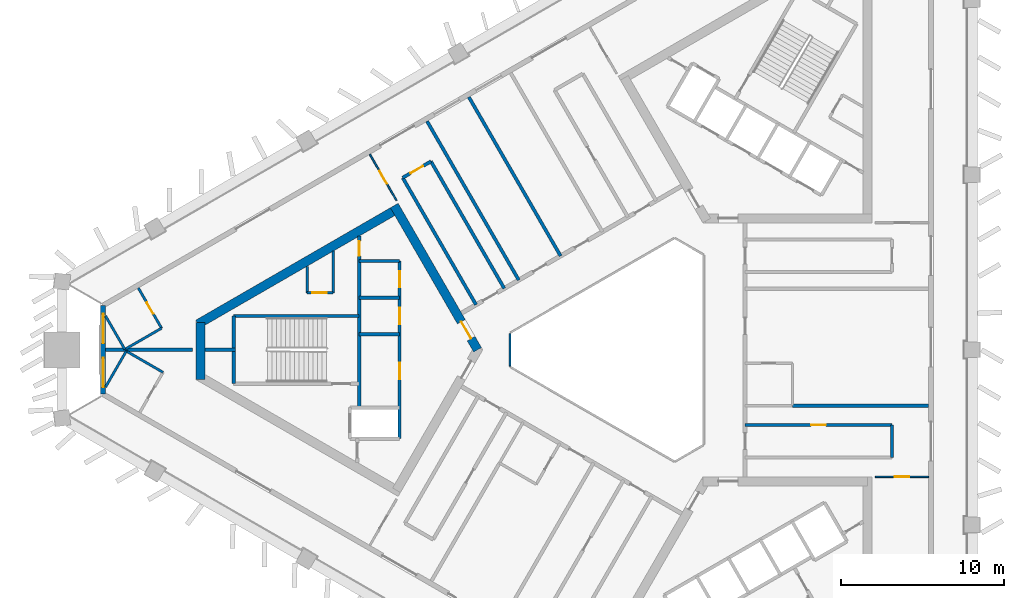
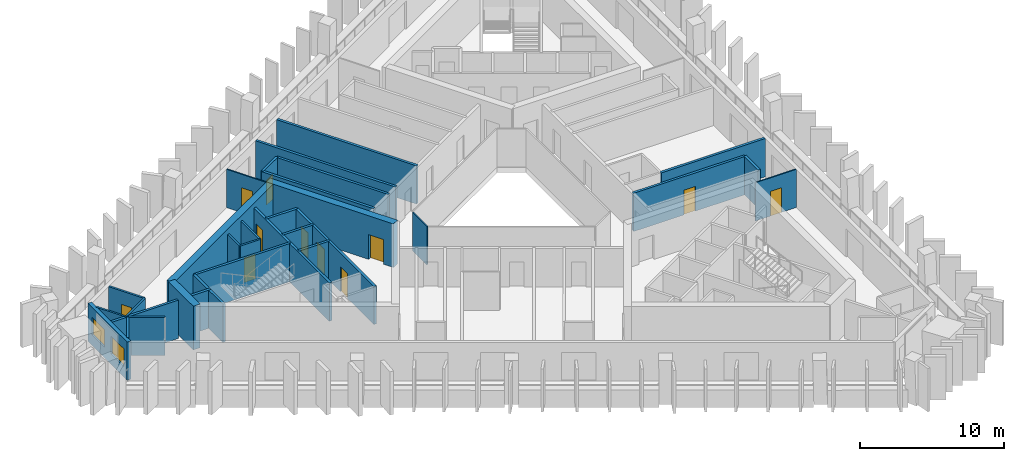
# One storey, part 4 of 10: 32 walls, 11 doors, 2 windows, 13 openings.
"""IFC4 building model written with IfcOpenShell, lengths in metres."""

from ifc_helpers import new_model, si_unit, direction, frame, frame_2d, origin, place, context, subcontext, project, spatial, rectangle, extrude, material, layer, layer_set, type_object, element, fill, save


model = new_model("IFC4")

# Units and contexts
model_context = context("Model", 3, precision=1e-05, world=origin(), true_north=direction((0.0, 1.0)))
body_context = subcontext(model_context, "Body", "Model", "MODEL_VIEW")
ifc_project = project(units=[si_unit("LENGTHUNIT", "METRE"), si_unit("AREAUNIT", "SQUARE_METRE"), si_unit("VOLUMEUNIT", "CUBIC_METRE"), si_unit("PLANEANGLEUNIT", "RADIAN"), si_unit("MASSUNIT", "GRAM", prefix="KILO")], contexts=[model_context])

# Site, building, storey
site_placement = place(None, origin())
site = spatial("IfcSite", under=ifc_project, at=site_placement, CompositionType="ELEMENT")
building_placement = place(site_placement, origin())
building = spatial("IfcBuilding", under=site, at=building_placement, Name="Jabali Bay Hotel Tower and Convention Centre", CompositionType="ELEMENT")
storey_placement = place(building_placement, frame((0.0, 0.0, 178.5)))
storey = spatial("IfcBuildingStorey", under=building, at=storey_placement, Name="L43", CompositionType="ELEMENT", Elevation=178.5)

# Walls
ifc_material_1 = material(Name="Fire-resistant glazing", Category="glass")
ifc_layer_1 = layer(ifc_material_1, 0.10009765625)
ifc_layer_set_1 = layer_set([ifc_layer_1], Name="Fire-resistant glazing")
wall_type_1 = type_object("IfcWallType", Name="Atrium glazed screen 100", PredefinedType="PARTITIONING", material=ifc_layer_set_1)
wall_1_placement = place(storey_placement, frame((67.672119140625, 81.0, 0.0), z_axis=(0.0, 0.0, 1.0), x_axis=(0.0, -1.0, 0.0)))
element("IfcWall", 1, at=wall_1_placement, inside=storey, type_object=wall_type_1, Name="Atrium screen 4 L43", PredefinedType="PARTITIONING", context=body_context, shape_type="SweptSolid", body=[
    extrude(rectangle(XDim=2.0, YDim=0.10009765625, at=frame_2d((1.0, 0.0))), origin(), (0.0, 0.0, 1.0), 3.25),
])
ifc_material_2 = material(Name="Concrete C40", Category="concrete")
ifc_layer_2 = layer(ifc_material_2, 0.199951171875)
ifc_layer_set_2 = layer_set([ifc_layer_2], Name="Concrete C40")
wall_type_2 = type_object("IfcWallType", Name="Core partition wall 200", PredefinedType="PARTITIONING", material=ifc_layer_set_2)
wall_2_placement = place(storey_placement, frame((50.820068359375, 80.0, 0.0), z_axis=(0.0, 0.0, 1.0), x_axis=(-1.0, 0.0, 0.0)))
element("IfcWall", 2, at=wall_2_placement, inside=storey, type_object=wall_type_2, Name="Core wall 0.5 L43", PredefinedType="PARTITIONING", context=body_context, shape_type="SweptSolid", body=[
    extrude(rectangle(XDim=1.873046875, YDim=0.199951171875, at=frame_2d((0.9365234375, 0.0))), origin(), (0.0, 0.0, 1.0), 3.25),
])

# Wall, opening, door
ifc_material_3 = material(Name="Fire-rated board partition")
ifc_layer_3 = layer(ifc_material_3, 0.14990234375)
ifc_layer_set_3 = layer_set([ifc_layer_3], Name="Fire-rated board partition")
wall_type_3 = type_object("IfcWallType", Name="Core room partition 150", PredefinedType="PARTITIONING", material=ifc_layer_set_3)
wall_3_placement = place(storey_placement, frame((56.820068359375, 83.5, 0.0), z_axis=(0.0, 0.0, 1.0), x_axis=(-1.0, 0.0, 0.0)))
wall_3 = element("IfcWall", 3, at=wall_3_placement, inside=storey, type_object=wall_type_3, Name="Core wall 0.1 L43", PredefinedType="PARTITIONING", context=body_context, shape_type="SweptSolid", body=[
    extrude(rectangle(XDim=1.60009765625, YDim=0.14990234375, at=frame_2d((0.800048828125, 0.0))), origin(), (0.0, 0.0, 1.0), 3.25),
])
opening_1_placement = place(wall_3_placement, frame((0.387451171875, 0.0, 0.0)))
opening_1 = element("IfcOpeningElement", 4, at=opening_1_placement, cuts=wall_3, Name="Opening D934", PredefinedType="OPENING", context=body_context, shape_type="SweptSolid", body=[
    extrude(rectangle(XDim=0.89990234375, YDim=2.10009765625, at=frame_2d((0.449951171875, 1.050048828125))), frame((0.0, 0.08544921875, 0.0), z_axis=(0.0, -1.0, 0.0), x_axis=(1.0, 0.0, 0.0)), (0.0, 0.0, 1.0), 0.1708984375),
])
ifc_material_4 = material(Name="Fire-rated steel door", Category="steel")
door_type_1 = type_object("IfcDoorType", Name="Core room door 900 x 2100", OperationType="NOTDEFINED", PredefinedType="NOTDEFINED", material=ifc_material_4)
door_1_placement = place(opening_1_placement, origin())
door_1 = element("IfcDoor", 5, at=door_1_placement, inside=storey, type_object=door_type_1, Name="Core room door D934", OperationType="SINGLE_SWING_LEFT", OverallHeight=2.10009765625, OverallWidth=0.89990234375, PredefinedType="NOTDEFINED", context=body_context, shape_type="SweptSolid", body=[
    extrude(rectangle(XDim=0.89990234375, YDim=2.10009765625, at=frame_2d((0.449951171875, 1.050048828125))), frame((0.0, 0.02490234375, 0.0), z_axis=(0.0, -1.0, 0.0), x_axis=(1.0, 0.0, 0.0)), (0.0, 0.0, 1.0), 0.050048828125),
])
fill(opening_1, door_1)

# Walls
wall_4_placement = place(storey_placement, frame((56.820068359375, 86.050537109375, 0.0), z_axis=(0.0, 0.0, 1.0), x_axis=(0.0, -1.0, 0.0)))
element("IfcWall", 6, at=wall_4_placement, inside=storey, type_object=wall_type_3, Name="Core wall 0.13 L43", PredefinedType="PARTITIONING", context=body_context, shape_type="SweptSolid", body=[
    extrude(rectangle(XDim=2.550537109375, YDim=0.14990234375, at=frame_2d((1.275390625, 0.0))), origin(), (0.0, 0.0, 1.0), 3.25),
])
wall_5_placement = place(storey_placement, frame((55.219970703125, 85.126953125, 0.0), z_axis=(0.0, 0.0, 1.0), x_axis=(0.0, -1.0, 0.0)))
element("IfcWall", 7, at=wall_5_placement, inside=storey, type_object=wall_type_3, Name="Core wall 0.14 L43", PredefinedType="PARTITIONING", context=body_context, shape_type="SweptSolid", body=[
    extrude(rectangle(XDim=1.626953125, YDim=0.14990234375, at=frame_2d((0.8134765625, 0.0))), origin(), (0.0, 0.0, 1.0), 3.25),
])
ifc_layer_4 = layer(ifc_material_2, 0.199951171875)
ifc_layer_set_4 = layer_set([ifc_layer_4], Name="Concrete C40")
wall_type_4 = type_object("IfcWallType", Name="Core stair wall 200", PredefinedType="SOLIDWALL", material=ifc_layer_set_4)
for number, where, z_axis, x_axis, name in (
    (8, (60.89990234375, 85.449951171875, 0.0), (0.0, 0.0, 1.0), (-1.0, 0.0, 0.0), "Core wall 0.0 L43"),
    (9, (60.89990234375, 83.199951171875, 0.0), (0.0, 0.0, 1.0), (-1.0, 0.0, 0.0), "Core wall 0.2 L43"),
):
    element("IfcWall", number, at=place(storey_placement, frame(where, z_axis=z_axis, x_axis=x_axis)), inside=storey, type_object=wall_type_4, Name=name, PredefinedType="SOLIDWALL", context=body_context, shape_type="SweptSolid", body=[
        extrude(rectangle(XDim=2.47998046875, YDim=0.199951171875, at=frame_2d((1.239990234375, 0.0))), origin(), (0.0, 0.0, 1.0), 3.25),
    ])
wall_6_placement = place(storey_placement, frame((58.419921875, 82.074951171875, 0.0), z_axis=(0.0, 0.0, 1.0), x_axis=(-1.0, 0.0, 0.0)))
element("IfcWall", 10, at=wall_6_placement, inside=storey, type_object=wall_type_4, Name="Core wall 0.3 L43", PredefinedType="SOLIDWALL", context=body_context, shape_type="SweptSolid", body=[
    extrude(rectangle(XDim=7.699951171875, YDim=0.199951171875, at=frame_2d((3.85009765625, 0.0))), origin(), (0.0, 0.0, 1.0), 3.25),
])
wall_7_placement = place(storey_placement, frame((60.89990234375, 80.949951171875, 0.0), z_axis=(0.0, 0.0, 1.0), x_axis=(-1.0, 0.0, 0.0)))
element("IfcWall", 11, at=wall_7_placement, inside=storey, type_object=wall_type_4, Name="Core wall 0.4 L43", PredefinedType="SOLIDWALL", context=body_context, shape_type="SweptSolid", body=[
    extrude(rectangle(XDim=2.47998046875, YDim=0.199951171875, at=frame_2d((1.239990234375, 0.0))), origin(), (0.0, 0.0, 1.0), 3.25),
])

# Wall, openings, doors
wall_8_placement = place(storey_placement, frame((60.89990234375, 85.449951171875, 0.0), z_axis=(0.0, 0.0, 1.0), x_axis=(0.0, -1.0, 0.0)))
wall_8 = element("IfcWall", 12, at=wall_8_placement, inside=storey, type_object=wall_type_4, Name="Core wall 0.9 L43", PredefinedType="SOLIDWALL", context=body_context, shape_type="SweptSolid", body=[
    extrude(rectangle(XDim=10.89990234375, YDim=0.199951171875, at=frame_2d((5.449951171875, 0.0))), origin(), (0.0, 0.0, 1.0), 3.25),
])
opening_2_placement = place(wall_8_placement, frame((0.625, 0.0, 0.0)))
opening_2 = element("IfcOpeningElement", 13, at=opening_2_placement, cuts=wall_8, Name="Opening D928", PredefinedType="OPENING", context=body_context, shape_type="SweptSolid", body=[
    extrude(rectangle(XDim=1.0, YDim=2.10009765625, at=frame_2d((0.5, 1.050048828125))), frame((0.0, 0.1103515625, 0.0), z_axis=(0.0, -1.0, 0.0), x_axis=(1.0, 0.0, 0.0)), (0.0, 0.0, 1.0), 0.220947265625),
])
opening_3_placement = place(wall_8_placement, frame((2.875, 0.0, 0.0)))
opening_3 = element("IfcOpeningElement", 14, at=opening_3_placement, cuts=wall_8, Name="Opening D929", PredefinedType="OPENING", context=body_context, shape_type="SweptSolid", body=[
    extrude(rectangle(XDim=1.0, YDim=2.10009765625, at=frame_2d((0.5, 1.050048828125))), frame((0.0, 0.1103515625, 0.0), z_axis=(0.0, -1.0, 0.0), x_axis=(1.0, 0.0, 0.0)), (0.0, 0.0, 1.0), 0.220947265625),
])
opening_4_placement = place(wall_8_placement, frame((6.25, 0.0, 0.0)))
opening_4 = element("IfcOpeningElement", 15, at=opening_4_placement, cuts=wall_8, Name="Opening D930", PredefinedType="OPENING", context=body_context, shape_type="SweptSolid", body=[
    extrude(rectangle(XDim=1.0, YDim=2.10009765625, at=frame_2d((0.5, 1.050048828125))), frame((0.0, 0.1103515625, 0.0), z_axis=(0.0, -1.0, 0.0), x_axis=(1.0, 0.0, 0.0)), (0.0, 0.0, 1.0), 0.220947265625),
])
door_type_2 = type_object("IfcDoorType", Name="Core room door 1000 x 2100", OperationType="NOTDEFINED", PredefinedType="NOTDEFINED", material=ifc_material_4)
door_2_placement = place(opening_2_placement, origin())
door_2 = element("IfcDoor", 16, at=door_2_placement, inside=storey, type_object=door_type_2, Name="Core room door D928", OperationType="SINGLE_SWING_RIGHT", OverallHeight=2.10009765625, OverallWidth=1.0, PredefinedType="NOTDEFINED", context=body_context, shape_type="SweptSolid", body=[
    extrude(rectangle(XDim=1.0, YDim=2.10009765625, at=frame_2d((0.5, 1.050048828125))), frame((0.0, 0.02490234375, 0.0), z_axis=(0.0, -1.0, 0.0), x_axis=(1.0, 0.0, 0.0)), (0.0, 0.0, 1.0), 0.050048828125),
])
fill(opening_2, door_2)
door_3_placement = place(opening_3_placement, origin())
door_3 = element("IfcDoor", 17, at=door_3_placement, inside=storey, type_object=door_type_2, Name="Core room door D929", OperationType="SINGLE_SWING_RIGHT", OverallHeight=2.10009765625, OverallWidth=1.0, PredefinedType="NOTDEFINED", context=body_context, shape_type="SweptSolid", body=[
    extrude(rectangle(XDim=1.0, YDim=2.10009765625, at=frame_2d((0.5, 1.050048828125))), frame((0.0, 0.02490234375, 0.0), z_axis=(0.0, -1.0, 0.0), x_axis=(1.0, 0.0, 0.0)), (0.0, 0.0, 1.0), 0.050048828125),
])
fill(opening_3, door_3)
door_4_placement = place(opening_4_placement, origin())
door_4 = element("IfcDoor", 18, at=door_4_placement, inside=storey, type_object=door_type_2, Name="Core room door D930", OperationType="SINGLE_SWING_RIGHT", OverallHeight=2.10009765625, OverallWidth=1.0, PredefinedType="NOTDEFINED", context=body_context, shape_type="SweptSolid", body=[
    extrude(rectangle(XDim=1.0, YDim=2.10009765625, at=frame_2d((0.5, 1.050048828125))), frame((0.0, 0.02490234375, 0.0), z_axis=(0.0, -1.0, 0.0), x_axis=(1.0, 0.0, 0.0)), (0.0, 0.0, 1.0), 0.050048828125),
])
fill(opening_4, door_4)

# Wall, opening, door
wall_9_placement = place(storey_placement, frame((58.419921875, 86.974365234375, 0.0), z_axis=(0.0, 0.0, 1.0), x_axis=(0.0, -1.0, 0.0)))
wall_9 = element("IfcWall", 19, at=wall_9_placement, inside=storey, type_object=wall_type_4, Name="Core wall 0.10 L43", PredefinedType="SOLIDWALL", context=body_context, shape_type="SweptSolid", body=[
    extrude(rectangle(XDim=10.5244140625, YDim=0.199951171875, at=frame_2d((5.26220703125, 0.0))), origin(), (0.0, 0.0, 1.0), 3.25),
])
opening_5_placement = place(wall_9_placement, frame((0.312255859375, 0.0, 0.0)))
opening_5 = element("IfcOpeningElement", 20, at=opening_5_placement, cuts=wall_9, Name="Opening D932", PredefinedType="OPENING", context=body_context, shape_type="SweptSolid", body=[
    extrude(rectangle(XDim=0.89990234375, YDim=2.10009765625, at=frame_2d((0.449951171875, 1.050048828125))), frame((0.0, 0.1103515625, 0.0), z_axis=(0.0, -1.0, 0.0), x_axis=(1.0, 0.0, 0.0)), (0.0, 0.0, 1.0), 0.220947265625),
])
door_type_3 = type_object("IfcDoorType", Name="Vestibule fire door 900 x 2100", OperationType="NOTDEFINED", PredefinedType="NOTDEFINED", material=ifc_material_4)
door_5_placement = place(opening_5_placement, origin())
door_5 = element("IfcDoor", 21, at=door_5_placement, inside=storey, type_object=door_type_3, Name="Vestibule fire door D932", OperationType="SINGLE_SWING_LEFT", OverallHeight=2.10009765625, OverallWidth=0.89990234375, PredefinedType="NOTDEFINED", context=body_context, shape_type="SweptSolid", body=[
    extrude(rectangle(XDim=0.89990234375, YDim=2.10009765625, at=frame_2d((0.449951171875, 1.050048828125))), frame((0.0, 0.02490234375, 0.0), z_axis=(0.0, -1.0, 0.0), x_axis=(1.0, 0.0, 0.0)), (0.0, 0.0, 1.0), 0.050048828125),
])
fill(opening_5, door_5)

# Wall
wall_10_placement = place(storey_placement, frame((50.719970703125, 82.074951171875, 0.0), z_axis=(0.0, 0.0, 1.0), x_axis=(0.0, -1.0, 0.0)))
element("IfcWall", 22, at=wall_10_placement, inside=storey, type_object=wall_type_4, Name="Core wall 0.15 L43", PredefinedType="SOLIDWALL", context=body_context, shape_type="SweptSolid", body=[
    extrude(rectangle(XDim=4.14990234375, YDim=0.199951171875, at=frame_2d((2.074951171875, 0.0))), origin(), (0.0, 0.0, 1.0), 3.25),
])

# Wall, opening, door
ifc_material_5 = material(Name="Concrete C60", Category="concrete")
ifc_layer_5 = layer(ifc_material_5, 0.550048828125)
ifc_layer_set_5 = layer_set([ifc_layer_5], Name="Concrete C60")
wall_type_5 = type_object("IfcWallType", Name="Core wall 550", PredefinedType="SHEAR", material=ifc_layer_set_5)
wall_11_placement = place(storey_placement, frame((65.682373046875, 80.0, 0.0), z_axis=(0.0, 0.0, 1.0), x_axis=(-0.500000202252, 0.866025287014, 0.0)))
wall_11 = element("IfcWall", 23, at=wall_11_placement, inside=storey, type_object=wall_type_5, Name="Core wall 1.1 L43", PredefinedType="SHEAR", context=body_context, shape_type="SweptSolid", body=[
    extrude(rectangle(XDim=10.22119140625, YDim=0.550048828125, at=frame_2d((5.110595703125, 0.0))), origin(), (0.0, 0.0, 1.0), 3.699951171875),
])
opening_6_placement = place(wall_11_placement, frame((0.791259765625, 0.0, 0.0)))
opening_6 = element("IfcOpeningElement", 24, at=opening_6_placement, cuts=wall_11, Name="Opening D926", PredefinedType="OPENING", context=body_context, shape_type="SweptSolid", body=[
    extrude(rectangle(XDim=1.199951171875, YDim=2.10009765625, at=frame_2d((0.60009765625, 1.050048828125))), frame((0.0, 0.28564453125, 0.0), z_axis=(0.0, -1.0, 0.0), x_axis=(1.0, 0.0, 0.0)), (0.0, 0.0, 1.0), 0.571044921875),
])
door_type_4 = type_object("IfcDoorType", Name="Corridor end fire door 1200 x 2100", OperationType="NOTDEFINED", PredefinedType="NOTDEFINED", material=ifc_material_4)
door_6_placement = place(opening_6_placement, origin())
door_6 = element("IfcDoor", 25, at=door_6_placement, inside=storey, type_object=door_type_4, Name="Corridor end fire door D926", OperationType="SINGLE_SWING_RIGHT", OverallHeight=2.10009765625, OverallWidth=1.199951171875, PredefinedType="NOTDEFINED", context=body_context, shape_type="SweptSolid", body=[
    extrude(rectangle(XDim=1.199951171875, YDim=2.10009765625, at=frame_2d((0.60009765625, 1.050048828125))), frame((0.0, 0.02490234375, 0.0), z_axis=(0.0, -1.0, 0.0), x_axis=(1.0, 0.0, 0.0)), (0.0, 0.0, 1.0), 0.050048828125),
])
fill(opening_6, door_6)

# Walls
wall_12_placement = place(storey_placement, frame((60.709228515625, 88.61376953125, 0.0), z_axis=(0.0, 0.0, 1.0), x_axis=(-0.866020164116, -0.500009075263, 0.0)))
element("IfcWall", 26, at=wall_12_placement, inside=storey, type_object=wall_type_5, Name="Core wall 1.2 L43", PredefinedType="SHEAR", context=body_context, shape_type="SweptSolid", body=[
    extrude(rectangle(XDim=14.058349609375, YDim=0.550048828125, at=frame_2d((7.029296875, 0.0))), origin(), (0.0, 0.0, 1.0), 3.699951171875),
])
wall_13_placement = place(storey_placement, frame((48.671875, 81.663818359375, 0.0), z_axis=(0.0, 0.0, 1.0), x_axis=(0.0, -1.0, 0.0)))
element("IfcWall", 27, at=wall_13_placement, inside=storey, type_object=wall_type_5, Name="Core wall 1.3 L43", PredefinedType="SHEAR", context=body_context, shape_type="SweptSolid", body=[
    extrude(rectangle(XDim=3.486572265625, YDim=0.550048828125, at=frame_2d((1.7431640625, 0.0))), origin(), (0.0, 0.0, 1.0), 3.699951171875),
])

# Wall, openings, windows
ifc_layer_6 = layer(ifc_material_2, 0.300048828125)
ifc_layer_set_6 = layer_set([ifc_layer_6], Name="Concrete C40")
wall_type_6 = type_object("IfcWallType", Name="External wall 300", PredefinedType="SOLIDWALL", material=ifc_layer_set_6)
wall_14_placement = place(storey_placement, frame((42.710205078125, 77.2783203125, 0.0), z_axis=(0.0, 0.0, 1.0), x_axis=(0.0, 1.0, 0.0)))
wall_14 = element("IfcWall", 28, at=wall_14_placement, inside=storey, type_object=wall_type_6, Name="External wall west chamfer L43", PredefinedType="SOLIDWALL", context=body_context, shape_type="SweptSolid", body=[
    extrude(rectangle(XDim=5.443359375, YDim=0.300048828125, at=frame_2d((2.7216796875, 0.0))), origin(), (0.0, 0.0, 1.0), 3.25),
])
opening_7_placement = place(wall_14_placement, frame((3.121826171875, 0.0, 0.89990234375)))
opening_7 = element("IfcOpeningElement", 29, at=opening_7_placement, cuts=wall_14, Name="Opening W1", PredefinedType="OPENING", context=body_context, shape_type="SweptSolid", body=[
    extrude(rectangle(XDim=1.800048828125, YDim=1.5, at=frame_2d((0.89990234375, 0.75))), frame((0.0, 0.16064453125, 0.0), z_axis=(0.0, -1.0, 0.0), x_axis=(1.0, 0.0, 0.0)), (0.0, 0.0, 1.0), 0.321044921875),
])
opening_8_placement = place(wall_14_placement, frame((0.4228515625, 0.0, 0.89990234375)))
opening_8 = element("IfcOpeningElement", 30, at=opening_8_placement, cuts=wall_14, Name="Opening W1", PredefinedType="OPENING", context=body_context, shape_type="SweptSolid", body=[
    extrude(rectangle(XDim=1.800048828125, YDim=1.5, at=frame_2d((0.89990234375, 0.75))), frame((0.0, 0.16064453125, 0.0), z_axis=(0.0, -1.0, 0.0), x_axis=(1.0, 0.0, 0.0)), (0.0, 0.0, 1.0), 0.321044921875),
])
ifc_material_6 = material(Name="Glass", Category="glass")
window_type = type_object("IfcWindowType", Name="Window 1800 x 1500", PartitioningType="SINGLE_PANEL", PredefinedType="WINDOW", material=ifc_material_6)
window_1_placement = place(opening_7_placement, origin())
window_1 = element("IfcWindow", 31, at=window_1_placement, inside=storey, type_object=window_type, Name="Window 4310", OverallHeight=1.5, OverallWidth=1.800048828125, PartitioningType="SINGLE_PANEL", PredefinedType="WINDOW", context=body_context, shape_type="SweptSolid", body=[
    extrude(rectangle(XDim=1.800048828125, YDim=1.5, at=frame_2d((0.89990234375, 0.75))), frame((0.0, 0.030029296875, 0.0), z_axis=(0.0, -1.0, 0.0), x_axis=(1.0, 0.0, 0.0)), (0.0, 0.0, 1.0), 0.06005859375),
])
fill(opening_7, window_1)
window_2_placement = place(opening_8_placement, origin())
window_2 = element("IfcWindow", 32, at=window_2_placement, inside=storey, type_object=window_type, Name="Window 4312", OverallHeight=1.5, OverallWidth=1.800048828125, PartitioningType="SINGLE_PANEL", PredefinedType="WINDOW", context=body_context, shape_type="SweptSolid", body=[
    extrude(rectangle(XDim=1.800048828125, YDim=1.5, at=frame_2d((0.89990234375, 0.75))), frame((0.0, 0.030029296875, 0.0), z_axis=(0.0, -1.0, 0.0), x_axis=(1.0, 0.0, 0.0)), (0.0, 0.0, 1.0), 0.06005859375),
])
fill(opening_8, window_2)

# Wall, opening, door
ifc_material_7 = material(Name="Plasterboard on steel stud", Category="steel")
ifc_layer_7 = layer(ifc_material_7, 0.10009765625)
ifc_layer_set_7 = layer_set([ifc_layer_7], Name="Plasterboard on steel stud")
wall_type_7 = type_object("IfcWallType", Name="Partition 100 unit", PredefinedType="PARTITIONING", material=ifc_layer_set_7)
wall_15_placement = place(storey_placement, frame((90.0791015625, 72.205810546875, 0.0), z_axis=(0.0, 0.0, 1.0), x_axis=(1.0, 0.0, 0.0)))
wall_15 = element("IfcWall", 33, at=wall_15_placement, inside=storey, type_object=wall_type_7, Name="Partition P02 L43 001", PredefinedType="PARTITIONING", context=body_context, shape_type="SweptSolid", body=[
    extrude(rectangle(XDim=3.27392578125, YDim=0.10009765625, at=frame_2d((1.636962890625, 0.0))), origin(), (0.0, 0.0, 1.0), 3.25),
])
opening_9_placement = place(wall_15_placement, frame((1.18701171875, 0.0, 0.0)))
opening_9 = element("IfcOpeningElement", 34, at=opening_9_placement, cuts=wall_15, Name="Opening 4302", PredefinedType="OPENING", context=body_context, shape_type="SweptSolid", body=[
    extrude(rectangle(XDim=0.89990234375, YDim=2.10009765625, at=frame_2d((0.449951171875, 1.050048828125))), frame((0.0, 0.060546875, 0.0), z_axis=(0.0, -1.0, 0.0), x_axis=(1.0, 0.0, 0.0)), (0.0, 0.0, 1.0), 0.12109375),
])
ifc_material_8 = material(Name="Timber", Category="wood")
door_type_5 = type_object("IfcDoorType", Name="Internal door 900 x 2100", OperationType="NOTDEFINED", PredefinedType="NOTDEFINED", material=ifc_material_8)
door_7_placement = place(opening_9_placement, origin())
door_7 = element("IfcDoor", 35, at=door_7_placement, inside=storey, type_object=door_type_5, Name="Door 4302", OperationType="SINGLE_SWING_RIGHT", OverallHeight=2.10009765625, OverallWidth=0.89990234375, PredefinedType="NOTDEFINED", context=body_context, shape_type="SweptSolid", body=[
    extrude(rectangle(XDim=0.89990234375, YDim=2.10009765625, at=frame_2d((0.449951171875, 1.050048828125))), frame((0.0, 0.02490234375, 0.0), z_axis=(0.0, -1.0, 0.0), x_axis=(1.0, 0.0, 0.0)), (0.0, 0.0, 1.0), 0.050048828125),
])
fill(opening_9, door_7)

wall_16_placement = place(storey_placement, frame((59.073486328125, 91.9970703125, 0.0), z_axis=(0.0, 0.0, 1.0), x_axis=(0.499980647919, -0.866036576425, 0.0)))
wall_16 = element("IfcWall", 36, at=wall_16_placement, inside=storey, type_object=wall_type_7, Name="Partition P02 L43 032", PredefinedType="PARTITIONING", context=body_context, shape_type="SweptSolid", body=[
    extrude(rectangle(XDim=3.274169921875, YDim=0.10009765625, at=frame_2d((1.63720703125, 0.0))), origin(), (0.0, 0.0, 1.0), 3.25),
])
opening_10_placement = place(wall_16_placement, frame((1.18701171875, 0.0, 0.0)))
opening_10 = element("IfcOpeningElement", 37, at=opening_10_placement, cuts=wall_16, Name="Opening 4318", PredefinedType="OPENING", context=body_context, shape_type="SweptSolid", body=[
    extrude(rectangle(XDim=0.89990234375, YDim=2.10009765625, at=frame_2d((0.449951171875, 1.050048828125))), frame((0.0, 0.060546875, 0.0), z_axis=(0.0, -1.0, 0.0), x_axis=(1.0, 0.0, 0.0)), (0.0, 0.0, 1.0), 0.12109375),
])
door_8_placement = place(opening_10_placement, origin())
door_8 = element("IfcDoor", 38, at=door_8_placement, inside=storey, type_object=door_type_5, Name="Door 4318", OperationType="SINGLE_SWING_RIGHT", OverallHeight=2.10009765625, OverallWidth=0.89990234375, PredefinedType="NOTDEFINED", context=body_context, shape_type="SweptSolid", body=[
    extrude(rectangle(XDim=0.89990234375, YDim=2.10009765625, at=frame_2d((0.449951171875, 1.050048828125))), frame((0.0, 0.02490234375, 0.0), z_axis=(0.0, -1.0, 0.0), x_axis=(1.0, 0.0, 0.0)), (0.0, 0.0, 1.0), 0.050048828125),
])
fill(opening_10, door_8)

ifc_layer_8 = layer(ifc_material_7, 0.14990234375)
ifc_layer_set_8 = layer_set([ifc_layer_8], Name="Plasterboard on steel stud")
wall_type_8 = type_object("IfcWallType", Name="Partition 150 wet", PredefinedType="PARTITIONING", material=ifc_layer_set_8)
wall_17_placement = place(storey_placement, frame((44.87060546875, 83.797119140625, 0.0), z_axis=(0.0, 0.0, 1.0), x_axis=(0.500006551472, -0.866021621257, 0.0)))
wall_17 = element("IfcWall", 39, at=wall_17_placement, inside=storey, type_object=wall_type_8, Name="Partition P03 L43 036", PredefinedType="PARTITIONING", context=body_context, shape_type="SweptSolid", body=[
    extrude(rectangle(XDim=2.8515625, YDim=0.14990234375, at=frame_2d((1.42578125, 0.0))), origin(), (0.0, 0.0, 1.0), 3.25),
])
opening_11_placement = place(wall_17_placement, frame((1.02587890625, 0.0, 0.0)))
opening_11 = element("IfcOpeningElement", 40, at=opening_11_placement, cuts=wall_17, Name="Opening 4319", PredefinedType="OPENING", context=body_context, shape_type="SweptSolid", body=[
    extrude(rectangle(XDim=0.800048828125, YDim=2.10009765625, at=frame_2d((0.39990234375, 1.050048828125))), frame((0.0, 0.08544921875, 0.0), z_axis=(0.0, -1.0, 0.0), x_axis=(1.0, 0.0, 0.0)), (0.0, 0.0, 1.0), 0.1708984375),
])
door_type_6 = type_object("IfcDoorType", Name="En-suite door 800 x 2100", OperationType="NOTDEFINED", PredefinedType="NOTDEFINED", material=ifc_material_8)
door_9_placement = place(opening_11_placement, origin())
door_9 = element("IfcDoor", 41, at=door_9_placement, inside=storey, type_object=door_type_6, Name="Door 4319", OperationType="SINGLE_SWING_LEFT", OverallHeight=2.10009765625, OverallWidth=0.800048828125, PredefinedType="NOTDEFINED", context=body_context, shape_type="SweptSolid", body=[
    extrude(rectangle(XDim=0.800048828125, YDim=2.10009765625, at=frame_2d((0.39990234375, 1.050048828125))), frame((0.0, 0.02490234375, 0.0), z_axis=(0.0, -1.0, 0.0), x_axis=(1.0, 0.0, 0.0)), (0.0, 0.0, 1.0), 0.050048828125),
])
fill(opening_11, door_9)

# Walls
wall_18_placement = place(storey_placement, frame((46.29638671875, 81.32763671875, 0.0), z_axis=(0.0, 0.0, 1.0), x_axis=(-0.866021400173, -0.500006934395, 0.0)))
element("IfcWall", 42, at=wall_18_placement, inside=storey, type_object=wall_type_8, Name="Partition P03 L43 037", PredefinedType="PARTITIONING", context=body_context, shape_type="SweptSolid", body=[
    extrude(rectangle(XDim=2.60009765625, YDim=0.14990234375, at=frame_2d((1.300048828125, 0.0))), origin(), (0.0, 0.0, 1.0), 3.25),
])
wall_19_placement = place(storey_placement, frame((44.044677734375, 80.027587890625, 0.0), z_axis=(0.0, 0.0, 1.0), x_axis=(-0.499960165064, 0.866048401274, 0.0)))
element("IfcWall", 43, at=wall_19_placement, inside=storey, type_object=wall_type_8, Name="Partition P03 L43 038", PredefinedType="PARTITIONING", context=body_context, shape_type="SweptSolid", body=[
    extrude(rectangle(XDim=2.370849609375, YDim=0.14990234375, at=frame_2d((1.185546875, 0.0))), origin(), (0.0, 0.0, 1.0), 3.25),
])
wall_20_placement = place(storey_placement, frame((42.859375, 77.7177734375, 0.0), z_axis=(0.0, 0.0, 1.0), x_axis=(0.499935570486, 0.866062598986, 0.0)))
element("IfcWall", 44, at=wall_20_placement, inside=storey, type_object=wall_type_8, Name="Partition P03 L43 046", PredefinedType="PARTITIONING", context=body_context, shape_type="SweptSolid", body=[
    extrude(rectangle(XDim=2.545166015625, YDim=0.14990234375, at=frame_2d((1.2724609375, 0.0))), origin(), (0.0, 0.0, 1.0), 3.25),
])
wall_21_placement = place(storey_placement, frame((44.1318359375, 79.922119140625, 0.0), z_axis=(0.0, 0.0, 1.0), x_axis=(0.866021400173, -0.500006934395, 0.0)))
element("IfcWall", 45, at=wall_21_placement, inside=storey, type_object=wall_type_8, Name="Partition P03 L43 047", PredefinedType="PARTITIONING", context=body_context, shape_type="SweptSolid", body=[
    extrude(rectangle(XDim=2.60009765625, YDim=0.14990234375, at=frame_2d((1.300048828125, 0.0))), origin(), (0.0, 0.0, 1.0), 3.25),
])

# Wall, opening, door
ifc_layer_9 = layer(ifc_material_7, 0.199951171875)
ifc_layer_set_9 = layer_set([ifc_layer_9], Name="Plasterboard on steel stud")
wall_type_9 = type_object("IfcWallType", Name="Partition 200 party", PredefinedType="PARTITIONING", material=ifc_layer_set_9)
wall_22_placement = place(storey_placement, frame((82.10009765625, 75.38818359375, 0.0), z_axis=(0.0, 0.0, 1.0), x_axis=(1.0, 0.0, 0.0)))
wall_22 = element("IfcWall", 46, at=wall_22_placement, inside=storey, type_object=wall_type_9, Name="Partition P01 L43 002", PredefinedType="PARTITIONING", context=body_context, shape_type="SweptSolid", body=[
    extrude(rectangle(XDim=9.0, YDim=0.199951171875, at=frame_2d((4.5, 0.0))), origin(), (0.0, 0.0, 1.0), 3.25),
])
opening_12_placement = place(wall_22_placement, frame((4.050048828125, 0.0, 0.0)))
opening_12 = element("IfcOpeningElement", 47, at=opening_12_placement, cuts=wall_22, Name="Opening 4304", PredefinedType="OPENING", context=body_context, shape_type="SweptSolid", body=[
    extrude(rectangle(XDim=0.89990234375, YDim=2.10009765625, at=frame_2d((0.449951171875, 1.050048828125))), frame((0.0, 0.1103515625, 0.0), z_axis=(0.0, -1.0, 0.0), x_axis=(1.0, 0.0, 0.0)), (0.0, 0.0, 1.0), 0.220947265625),
])
door_10_placement = place(opening_12_placement, origin())
door_10 = element("IfcDoor", 48, at=door_10_placement, inside=storey, type_object=door_type_5, Name="Door 4304", OperationType="SINGLE_SWING_RIGHT", OverallHeight=2.10009765625, OverallWidth=0.89990234375, PredefinedType="NOTDEFINED", context=body_context, shape_type="SweptSolid", body=[
    extrude(rectangle(XDim=0.89990234375, YDim=2.10009765625, at=frame_2d((0.449951171875, 1.050048828125))), frame((0.0, 0.02490234375, 0.0), z_axis=(0.0, -1.0, 0.0), x_axis=(1.0, 0.0, 0.0)), (0.0, 0.0, 1.0), 0.050048828125),
])
fill(opening_12, door_10)

# Walls
wall_23_placement = place(storey_placement, frame((91.10009765625, 75.38818359375, 0.0), z_axis=(0.0, 0.0, 1.0), x_axis=(0.0, -1.0, 0.0)))
element("IfcWall", 49, at=wall_23_placement, inside=storey, type_object=wall_type_9, Name="Partition P01 L43 003", PredefinedType="PARTITIONING", context=body_context, shape_type="SweptSolid", body=[
    extrude(rectangle(XDim=2.0, YDim=0.199951171875, at=frame_2d((1.0, 0.0))), origin(), (0.0, 0.0, 1.0), 3.25),
])
wall_24_placement = place(storey_placement, frame((93.35302734375, 76.570556640625, 0.0), z_axis=(0.0, 0.0, 1.0), x_axis=(-1.0, 0.0, 0.0)))
element("IfcWall", 50, at=wall_24_placement, inside=storey, type_object=wall_type_9, Name="Partition P01 L43 005", PredefinedType="PARTITIONING", context=body_context, shape_type="SweptSolid", body=[
    extrude(rectangle(XDim=8.35302734375, YDim=0.199951171875, at=frame_2d((4.176513671875, 0.0))), origin(), (0.0, 0.0, 1.0), 3.25),
])
for number, where, z_axis, x_axis, name in (
    (51, (65.1484375, 95.50439453125, 0.0), (0.0, 0.0, 1.0), (0.499998524228, -0.86602625582, 0.0), "Partition P01 L43 030"),
    (52, (62.58349609375, 94.0234375, 0.0), (0.0, 0.0, 1.0), (0.499998524228, -0.86602625582, 0.0), "Partition P01 L43 031"),
):
    element("IfcWall", number, at=place(storey_placement, frame(where, z_axis=z_axis, x_axis=x_axis)), inside=storey, type_object=wall_type_9, Name=name, PredefinedType="PARTITIONING", context=body_context, shape_type="SweptSolid", body=[
        extrude(rectangle(XDim=11.2529296875, YDim=0.199951171875, at=frame_2d((5.62646484375, 0.0))), origin(), (0.0, 0.0, 1.0), 3.25),
    ])
wall_25_placement = place(storey_placement, frame((65.5888671875, 82.764892578125, 0.0), z_axis=(0.0, 0.0, 1.0), x_axis=(-0.5000018851, 0.866024315419, 0.0)))
element("IfcWall", 53, at=wall_25_placement, inside=storey, type_object=wall_type_9, Name="Partition P01 L43 033", PredefinedType="PARTITIONING", context=body_context, shape_type="SweptSolid", body=[
    extrude(rectangle(XDim=9.0, YDim=0.199951171875, at=frame_2d((4.5, 0.0))), origin(), (0.0, 0.0, 1.0), 3.25),
])

# Wall, opening, door
wall_26_placement = place(storey_placement, frame((61.0888671875, 90.55908203125, 0.0), z_axis=(0.0, 0.0, 1.0), x_axis=(0.866041268327, 0.499972520799, 0.0)))
wall_26 = element("IfcWall", 54, at=wall_26_placement, inside=storey, type_object=wall_type_9, Name="Partition P01 L43 034", PredefinedType="PARTITIONING", context=body_context, shape_type="SweptSolid", body=[
    extrude(rectangle(XDim=2.0, YDim=0.199951171875, at=frame_2d((1.0, 0.0))), origin(), (0.0, 0.0, 1.0), 3.25),
])
opening_13_placement = place(wall_26_placement, frame((0.550048828125, 0.0, 0.0)))
opening_13 = element("IfcOpeningElement", 55, at=opening_13_placement, cuts=wall_26, Name="Opening 4320", PredefinedType="OPENING", context=body_context, shape_type="SweptSolid", body=[
    extrude(rectangle(XDim=0.89990234375, YDim=2.10009765625, at=frame_2d((0.449951171875, 1.050048828125))), frame((0.0, 0.1103515625, 0.0), z_axis=(0.0, -1.0, 0.0), x_axis=(1.0, 0.0, 0.0)), (0.0, 0.0, 1.0), 0.220947265625),
])
door_11_placement = place(opening_13_placement, origin())
door_11 = element("IfcDoor", 56, at=door_11_placement, inside=storey, type_object=door_type_5, Name="Door 4320", OperationType="SINGLE_SWING_RIGHT", OverallHeight=2.10009765625, OverallWidth=0.89990234375, PredefinedType="NOTDEFINED", context=body_context, shape_type="SweptSolid", body=[
    extrude(rectangle(XDim=0.89990234375, YDim=2.10009765625, at=frame_2d((0.449951171875, 1.050048828125))), frame((0.0, 0.02490234375, 0.0), z_axis=(0.0, -1.0, 0.0), x_axis=(1.0, 0.0, 0.0)), (0.0, 0.0, 1.0), 0.050048828125),
])
fill(opening_13, door_11)

# Walls
wall_27_placement = place(storey_placement, frame((62.821044921875, 91.55908203125, 0.0), z_axis=(0.0, 0.0, 1.0), x_axis=(0.5000018851, -0.866024315419, 0.0)))
element("IfcWall", 57, at=wall_27_placement, inside=storey, type_object=wall_type_9, Name="Partition P01 L43 035", PredefinedType="PARTITIONING", context=body_context, shape_type="SweptSolid", body=[
    extrude(rectangle(XDim=9.0, YDim=0.199951171875, at=frame_2d((4.5, 0.0))), origin(), (0.0, 0.0, 1.0), 3.25),
])
wall_28_placement = place(storey_placement, frame((42.859375, 80.0, 0.0), z_axis=(0.0, 0.0, 1.0), x_axis=(1.0, 0.0, 0.0)))
element("IfcWall", 58, at=wall_28_placement, inside=storey, type_object=wall_type_9, Name="Partition P01 L43 039", PredefinedType="PARTITIONING", context=body_context, shape_type="SweptSolid", body=[
    extrude(rectangle(XDim=5.338623046875, YDim=0.199951171875, at=frame_2d((2.66943359375, 0.0))), origin(), (0.0, 0.0, 1.0), 3.25),
])

save(model, "model.ifc")
